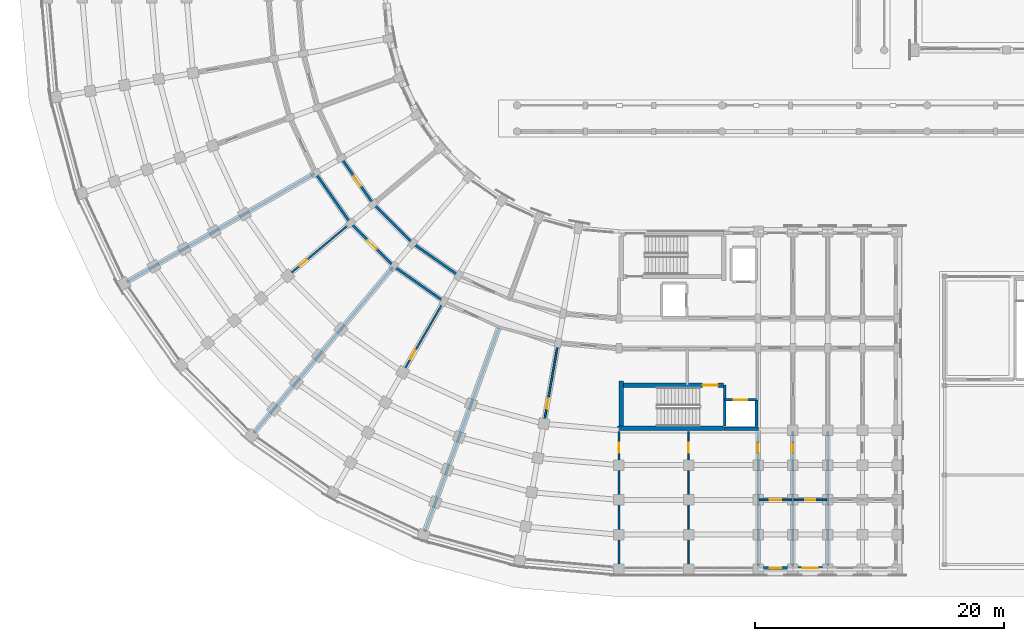
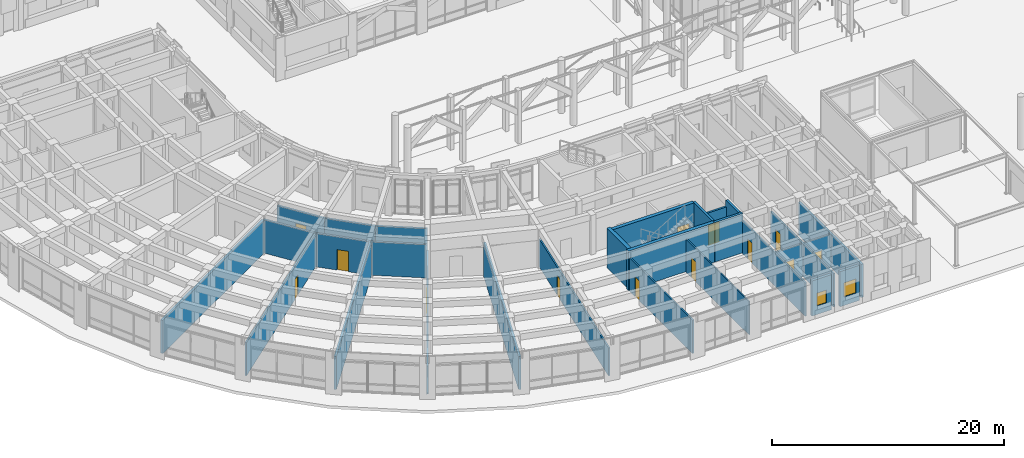
# One storey, part 89 of 135: 28 walls, 13 doors, 2 windows, 15 openings.
"""IFC4 building model written with IfcOpenShell, lengths in metres."""

from ifc_helpers import new_model, si_unit, direction, frame, frame_2d, origin, place, context, subcontext, project, spatial, rectangle, extrude, material, layer, layer_set, type_object, element, fill, save


model = new_model("IFC4")

# Units and contexts
model_context = context("Model", 3, precision=1e-05, world=origin(), true_north=direction((0.0, 1.0)))
body_context = subcontext(model_context, "Body", "Model", "MODEL_VIEW")
ifc_project = project(units=[si_unit("LENGTHUNIT", "METRE"), si_unit("AREAUNIT", "SQUARE_METRE"), si_unit("VOLUMEUNIT", "CUBIC_METRE"), si_unit("PLANEANGLEUNIT", "RADIAN"), si_unit("MASSUNIT", "GRAM", prefix="KILO")], contexts=[model_context])

# Site, building, storey
site_placement = place(None, origin())
site = spatial("IfcSite", under=ifc_project, at=site_placement, CompositionType="ELEMENT")
building_placement = place(site_placement, origin())
building = spatial("IfcBuilding", under=site, at=building_placement, Name="Kiranvali Square Residences", CompositionType="ELEMENT")
storey_placement = place(building_placement, origin())
storey = spatial("IfcBuildingStorey", under=building, at=storey_placement, Name="L00", CompositionType="ELEMENT", Elevation=0.0)

# Walls
ifc_material_1 = material(Name="Autoclaved aerated concrete blockwork masonry", Category="masonry")
ifc_layer_1 = layer(ifc_material_1, 0.199951171875)
ifc_layer_set_1 = layer_set([ifc_layer_1], Name="Autoclaved aerated concrete blockwork masonry")
wall_type_1 = type_object("IfcWallType", Name="WL-COR-200", PredefinedType="STANDARD", material=ifc_layer_set_1)
wall_1_placement = place(storey_placement, frame((35.300048828125, 25.8564453125, 0.0), z_axis=(0.0, 0.0, 1.0), x_axis=(-0.819155404658, 0.573571637217, 0.0)))
element("IfcWall", 1, at=wall_1_placement, inside=storey, type_object=wall_type_1, Name="L00 architectural wall WL-L00-C-CCI-3", PredefinedType="STANDARD", context=body_context, shape_type="SweptSolid", body=[
    extrude(rectangle(XDim=4.497314453125, YDim=0.199951171875, at=frame_2d((2.24853515625, 0.0))), origin(), (0.0, 0.0, 1.0), 3.491943359375),
])
wall_2_placement = place(storey_placement, frame((34.10009765625, 23.778076171875, 0.0), z_axis=(0.0, 0.0, 1.0), x_axis=(-0.819140911474, 0.573592335331, 0.0)))
element("IfcWall", 2, at=wall_2_placement, inside=storey, type_object=wall_type_1, Name="L00 architectural wall WL-L00-C-CCO-3", PredefinedType="STANDARD", context=body_context, shape_type="SweptSolid", body=[
    extrude(rectangle(XDim=4.915771484375, YDim=0.199951171875, at=frame_2d((2.4580078125, 0.0))), origin(), (0.0, 0.0, 1.0), 3.491943359375),
])
wall_3_placement = place(storey_placement, frame((31.615966796875, 28.43603515625, 0.0), z_axis=(0.0, 0.0, 1.0), x_axis=(-0.707106781187, 0.707106781187, 0.0)))
element("IfcWall", 3, at=wall_3_placement, inside=storey, type_object=wall_type_1, Name="L00 architectural wall WL-L00-C-CCI-4", PredefinedType="STANDARD", context=body_context, shape_type="SweptSolid", body=[
    extrude(rectangle(XDim=4.4970703125, YDim=0.199951171875, at=frame_2d((2.24853515625, 0.0))), origin(), (0.0, 0.0, 1.0), 3.491943359375),
])

# Wall, opening, door
wall_4_placement = place(storey_placement, frame((30.073486328125, 26.59765625, 0.0), z_axis=(0.0, 0.0, 1.0), x_axis=(-0.707106781187, 0.707106781187, 0.0)))
wall_4 = element("IfcWall", 4, at=wall_4_placement, inside=storey, type_object=wall_type_1, Name="L00 architectural wall WL-L00-C-CCO-4", PredefinedType="STANDARD", context=body_context, shape_type="SweptSolid", body=[
    extrude(rectangle(XDim=4.91552734375, YDim=0.199951171875, at=frame_2d((2.457763671875, 0.0))), origin(), (0.0, 0.0, 1.0), 3.491943359375),
])
opening_1_placement = place(wall_4_placement, frame((1.957763671875, 0.0, 0.0)))
opening_1 = element("IfcOpeningElement", 5, at=opening_1_placement, cuts=wall_4, Name="Opening FD-APT-60", PredefinedType="OPENING", context=body_context, shape_type="SweptSolid", body=[
    extrude(rectangle(XDim=1.0, YDim=2.14990234375, at=frame_2d((0.5, 1.074951171875))), frame((0.0, 0.10986328125, 0.0), z_axis=(0.0, -1.0, 0.0), x_axis=(1.0, 0.0, 0.0)), (0.0, 0.0, 1.0), 0.219970703125),
])
ifc_material_2 = material(Name="Fire-rated acoustic hardwood and mineral-core door assembly", Category="wood")
door_type_1 = type_object("IfcDoorType", Name="DR-APT-1000", OperationType="NOTDEFINED", PredefinedType="DOOR", material=ifc_material_2)
door_1_placement = place(opening_1_placement, origin())
door_1 = element("IfcDoor", 6, at=door_1_placement, inside=storey, type_object=door_type_1, Name="L00 door DR-L00-1771 (DR-APT-1000)", OperationType="SINGLE_SWING_LEFT", OverallHeight=2.14990234375, OverallWidth=1.0, PredefinedType="DOOR", context=body_context, shape_type="SweptSolid", body=[
    extrude(rectangle(XDim=1.0, YDim=2.14990234375, at=frame_2d((0.5, 1.074951171875))), frame((0.0, 0.02490234375, 0.0), z_axis=(0.0, -1.0, 0.0), x_axis=(1.0, 0.0, 0.0)), (0.0, 0.0, 1.0), 0.050048828125),
])
fill(opening_1, door_1)

wall_5_placement = place(storey_placement, frame((28.43603515625, 31.615966796875, 0.0), z_axis=(0.0, 0.0, 1.0), x_axis=(-0.573571637217, 0.819155404658, 0.0)))
wall_5 = element("IfcWall", 7, at=wall_5_placement, inside=storey, type_object=wall_type_1, Name="L00 architectural wall WL-L00-C-CCI-5", PredefinedType="STANDARD", context=body_context, shape_type="SweptSolid", body=[
    extrude(rectangle(XDim=4.497314453125, YDim=0.199951171875, at=frame_2d((2.24853515625, 0.0))), origin(), (0.0, 0.0, 1.0), 3.491943359375),
])
opening_2_placement = place(wall_5_placement, frame((1.74853515625, 0.0, 0.0)))
opening_2 = element("IfcOpeningElement", 8, at=opening_2_placement, cuts=wall_5, Name="Opening FD-APT-60", PredefinedType="OPENING", context=body_context, shape_type="SweptSolid", body=[
    extrude(rectangle(XDim=1.0, YDim=2.14990234375, at=frame_2d((0.5, 1.074951171875))), frame((0.0, 0.10986328125, 0.0), z_axis=(0.0, -1.0, 0.0), x_axis=(1.0, 0.0, 0.0)), (0.0, 0.0, 1.0), 0.219970703125),
])
door_2_placement = place(opening_2_placement, origin())
door_2 = element("IfcDoor", 9, at=door_2_placement, inside=storey, type_object=door_type_1, Name="L00 door DR-L00-1775 (DR-APT-1000)", OperationType="SINGLE_SWING_LEFT", OverallHeight=2.14990234375, OverallWidth=1.0, PredefinedType="DOOR", context=body_context, shape_type="SweptSolid", body=[
    extrude(rectangle(XDim=1.0, YDim=2.14990234375, at=frame_2d((0.5, 1.074951171875))), frame((0.0, 0.02490234375, 0.0), z_axis=(0.0, -1.0, 0.0), x_axis=(1.0, 0.0, 0.0)), (0.0, 0.0, 1.0), 0.050048828125),
])
fill(opening_2, door_2)

# Walls
wall_6_placement = place(storey_placement, frame((26.59765625, 30.073486328125, 0.0), z_axis=(0.0, 0.0, 1.0), x_axis=(-0.573592335331, 0.819140911474, 0.0)))
element("IfcWall", 10, at=wall_6_placement, inside=storey, type_object=wall_type_1, Name="L00 architectural wall WL-L00-C-CCO-5", PredefinedType="STANDARD", context=body_context, shape_type="SweptSolid", body=[
    extrude(rectangle(XDim=4.915771484375, YDim=0.199951171875, at=frame_2d((2.4580078125, 0.0))), origin(), (0.0, 0.0, 1.0), 3.491943359375),
])
ifc_layer_2 = layer(ifc_material_1, 0.219970703125)
ifc_layer_set_2 = layer_set([ifc_layer_2], Name="Autoclaved aerated concrete blockwork masonry")
wall_type_2 = type_object("IfcWallType", Name="WL-DEM-220", PredefinedType="STANDARD", material=ifc_layer_set_2)
wall_7_placement = place(storey_placement, frame((65.0, 13.300048828125, 0.0), z_axis=(0.0, 0.0, 1.0), x_axis=(0.0, -1.0, 0.0)))
element("IfcWall", 11, at=wall_7_placement, inside=storey, type_object=wall_type_2, Name="L00 architectural wall WL-L00-C-A1TO2-2", PredefinedType="STANDARD", context=body_context, shape_type="SweptSolid", body=[
    extrude(rectangle(XDim=10.820068359375, YDim=0.219970703125, at=frame_2d((5.41015625, 0.0))), origin(), (0.0, 0.0, 1.0), 3.491943359375),
])
ifc_layer_3 = layer(ifc_material_1, 0.22998046875)
ifc_layer_set_3 = layer_set([ifc_layer_3], Name="Autoclaved aerated concrete blockwork masonry")
wall_type_3 = type_object("IfcWallType", Name="WL-DEM-230", PredefinedType="STANDARD", material=ifc_layer_set_3)
for number, where, z_axis, x_axis, name in (
    (12, (38.520751953125, 21.606689453125, 0.0), (0.0, 0.0, 1.0), (-0.342022120477, -0.939691901159, 0.0), "L00 architectural wall WL-L00-C-RADO-2"),
    (13, (30.009033203125, 26.52099609375, 0.0), (0.0, 0.0, 1.0), (-0.642784757967, -0.766046835987, 0.0), "L00 architectural wall WL-L00-C-RADO-4"),
    (14, (23.69140625, 34.050048828125, 0.0), (0.0, 0.0, 1.0), (-0.866026648973, -0.499997843263, 0.0), "L00 architectural wall WL-L00-C-RADO-6"),
):
    element("IfcWall", number, at=place(storey_placement, frame(where, z_axis=z_axis, x_axis=x_axis)), inside=storey, type_object=wall_type_3, Name=name, PredefinedType="STANDARD", context=body_context, shape_type="SweptSolid", body=[
        extrude(rectangle(XDim=17.419921875, YDim=0.22998046875, at=frame_2d((8.7099609375, 0.0))), origin(), (0.0, 0.0, 1.0), 3.491943359375),
    ])

# Wall, opening, window
ifc_material_3 = material(Name="Breathable lime-rendered clay brick masonry", Category="masonry")
ifc_layer_4 = layer(ifc_material_3, 0.25)
ifc_layer_set_4 = layer_set([ifc_layer_4], Name="Breathable lime-rendered clay brick masonry")
wall_type_4 = type_object("IfcWallType", Name="WL-EXT-250", PredefinedType="STANDARD", material=ifc_layer_set_4)
wall_8_placement = place(storey_placement, frame((59.82861328125, 2.324951171875, 0.0), z_axis=(0.0, 0.0, 1.0), x_axis=(1.0, 0.0, 0.0)))
wall_8 = element("IfcWall", 15, at=wall_8_placement, inside=storey, type_object=wall_type_4, Name="L00 exterior wall C-L00-A1O-2", PredefinedType="STANDARD", context=body_context, shape_type="SweptSolid", body=[
    extrude(rectangle(XDim=1.94287109375, YDim=0.25, at=frame_2d((0.971435546875, 0.0))), origin(), (0.0, 0.0, 1.0), 3.69189453125),
])
opening_3_placement = place(wall_8_placement, frame((0.49658203125, 0.0, 0.8798828125)))
opening_3 = element("IfcOpeningElement", 16, at=opening_3_placement, cuts=wall_8, Name="Opening W-16", PredefinedType="OPENING", context=body_context, shape_type="SweptSolid", body=[
    extrude(rectangle(XDim=0.949951171875, YDim=1.35009765625, at=frame_2d((0.47509765625, 0.675048828125))), frame((0.0, 0.135009765625, 0.0), z_axis=(0.0, -1.0, 0.0), x_axis=(1.0, 0.0, 0.0)), (0.0, 0.0, 1.0), 0.27001953125),
])
ifc_material_4 = material(Name="Solar-control low-e double glazing", Category="glass")
window_type_1 = type_object("IfcWindowType", Name="WIN-RES-950x1350", PartitioningType="SINGLE_PANEL", PredefinedType="WINDOW", material=ifc_material_4)
window_1_placement = place(opening_3_placement, origin())
window_1 = element("IfcWindow", 17, at=window_1_placement, inside=storey, type_object=window_type_1, Name="L00 recessed window C-L00-A1O-2", OverallHeight=1.35009765625, OverallWidth=0.949951171875, PartitioningType="SINGLE_PANEL", PredefinedType="WINDOW", context=body_context, shape_type="SweptSolid", body=[
    extrude(rectangle(XDim=0.949951171875, YDim=1.35009765625, at=frame_2d((0.47509765625, 0.675048828125))), frame((0.0, 0.030029296875, 0.0), z_axis=(0.0, -1.0, 0.0), x_axis=(1.0, 0.0, 0.0)), (0.0, 0.0, 1.0), 0.06005859375),
])
fill(opening_3, window_1)

wall_9_placement = place(storey_placement, frame((62.62841796875, 2.324951171875, 0.0), z_axis=(0.0, 0.0, 1.0), x_axis=(1.0, 0.0, 0.0)))
wall_9 = element("IfcWall", 18, at=wall_9_placement, inside=storey, type_object=wall_type_4, Name="L00 exterior wall C-L00-A1O-3", PredefinedType="STANDARD", context=body_context, shape_type="SweptSolid", body=[
    extrude(rectangle(XDim=1.943115234375, YDim=0.25, at=frame_2d((0.9716796875, 0.0))), origin(), (0.0, 0.0, 1.0), 3.69189453125),
])
opening_4_placement = place(wall_9_placement, frame((0.37158203125, 0.0, 0.8798828125)))
opening_4 = element("IfcOpeningElement", 19, at=opening_4_placement, cuts=wall_9, Name="Opening W-06", PredefinedType="OPENING", context=body_context, shape_type="SweptSolid", body=[
    extrude(rectangle(XDim=1.199951171875, YDim=1.5, at=frame_2d((0.60009765625, 0.75))), frame((0.0, 0.135009765625, 0.0), z_axis=(0.0, -1.0, 0.0), x_axis=(1.0, 0.0, 0.0)), (0.0, 0.0, 1.0), 0.27001953125),
])
window_type_2 = type_object("IfcWindowType", Name="WIN-RES-1200x1500", PartitioningType="SINGLE_PANEL", PredefinedType="WINDOW", material=ifc_material_4)
window_2_placement = place(opening_4_placement, origin())
window_2 = element("IfcWindow", 20, at=window_2_placement, inside=storey, type_object=window_type_2, Name="L00 recessed window C-L00-A1O-3", OverallHeight=1.5, OverallWidth=1.199951171875, PartitioningType="SINGLE_PANEL", PredefinedType="WINDOW", context=body_context, shape_type="SweptSolid", body=[
    extrude(rectangle(XDim=1.199951171875, YDim=1.5, at=frame_2d((0.60009765625, 0.75))), frame((0.0, 0.030029296875, 0.0), z_axis=(0.0, -1.0, 0.0), x_axis=(1.0, 0.0, 0.0)), (0.0, 0.0, 1.0), 0.06005859375),
])
fill(opening_4, window_2)

# Wall, opening, door
ifc_layer_5 = layer(ifc_material_1, 0.199951171875)
ifc_layer_set_5 = layer_set([ifc_layer_5], Name="Autoclaved aerated concrete blockwork masonry")
wall_type_5 = type_object("IfcWallType", Name="WL-FFL-200", PredefinedType="STANDARD", material=ifc_layer_set_5)
wall_10_placement = place(storey_placement, frame((56.699951171875, 15.85009765625, 0.0), z_axis=(0.0, 0.0, 1.0), x_axis=(1.0, 0.0, 0.0)))
wall_10 = element("IfcWall", 21, at=wall_10_placement, inside=storey, type_object=wall_type_5, Name="L00 architectural wall WL-L00-C-FF-LFT", PredefinedType="STANDARD", context=body_context, shape_type="SweptSolid", body=[
    extrude(rectangle(XDim=2.550048828125, YDim=0.199951171875, at=frame_2d((1.27490234375, 0.0))), origin(), (0.0, 0.0, 1.0), 3.491943359375),
])
opening_5_placement = place(wall_10_placement, frame((0.72509765625, 0.0, 0.0)))
opening_5 = element("IfcOpeningElement", 22, at=opening_5_placement, cuts=wall_10, Name="Opening LD-FF-110", PredefinedType="OPENING", context=body_context, shape_type="SweptSolid", body=[
    extrude(rectangle(XDim=1.10009765625, YDim=2.14990234375, at=frame_2d((0.550048828125, 1.074951171875))), frame((0.0, 0.10986328125, 0.0), z_axis=(0.0, -1.0, 0.0), x_axis=(1.0, 0.0, 0.0)), (0.0, 0.0, 1.0), 0.219970703125),
])
door_type_2 = type_object("IfcDoorType", Name="DR-LIFT-FF-1100", OperationType="SLIDING_TO_LEFT", PredefinedType="DOOR", material=ifc_material_2)
door_3_placement = place(opening_5_placement, origin())
door_3 = element("IfcDoor", 23, at=door_3_placement, inside=storey, type_object=door_type_2, Name="L00 door DR-L00-1736 (DR-LIFT-FF-1100)", OperationType="SLIDING_TO_LEFT", OverallHeight=2.14990234375, OverallWidth=1.10009765625, PredefinedType="DOOR", context=body_context, shape_type="SweptSolid", body=[
    extrude(rectangle(XDim=1.10009765625, YDim=2.14990234375, at=frame_2d((0.550048828125, 1.074951171875))), frame((0.0, 0.02490234375, 0.0), z_axis=(0.0, -1.0, 0.0), x_axis=(1.0, 0.0, 0.0)), (0.0, 0.0, 1.0), 0.050048828125),
])
fill(opening_5, door_3)

ifc_material_5 = material(Name="Acoustic gypsum board drylined partition", Category="gypsum")
ifc_layer_6 = layer(ifc_material_5, 0.125)
ifc_layer_set_6 = layer_set([ifc_layer_6], Name="Acoustic gypsum board drylined partition")
wall_type_6 = type_object("IfcWallType", Name="WL-PRT-125", PredefinedType="PARTITIONING", material=ifc_layer_set_6)
wall_11_placement = place(storey_placement, frame((53.800048828125, 13.300048828125, 0.0), z_axis=(0.0, 0.0, 1.0), x_axis=(0.0, -1.0, 0.0)))
wall_11 = element("IfcWall", 24, at=wall_11_placement, inside=storey, type_object=wall_type_6, Name="L00 architectural wall WL-L00-C-CF-MID", PredefinedType="PARTITIONING", context=body_context, shape_type="SweptSolid", body=[
    extrude(rectangle(XDim=10.820068359375, YDim=0.125, at=frame_2d((5.41015625, 0.0))), origin(), (0.0, 0.0, 1.0), 3.491943359375),
])
opening_6_placement = place(wall_11_placement, frame((0.8994140625, 0.0, 0.0)))
opening_6 = element("IfcOpeningElement", 25, at=opening_6_placement, cuts=wall_11, Name="Opening ID-WET", PredefinedType="OPENING", context=body_context, shape_type="SweptSolid", body=[
    extrude(rectangle(XDim=0.800048828125, YDim=2.10009765625, at=frame_2d((0.39990234375, 1.050048828125))), frame((0.0, 0.072509765625, 0.0), z_axis=(0.0, -1.0, 0.0), x_axis=(1.0, 0.0, 0.0)), (0.0, 0.0, 1.0), 0.14501953125),
])
ifc_material_6 = material(Name="Solid seasoned teak hardwood joinery", Category="wood")
door_type_3 = type_object("IfcDoorType", Name="DR-WET-800", OperationType="NOTDEFINED", PredefinedType="DOOR", material=ifc_material_6)
door_4_placement = place(opening_6_placement, origin())
door_4 = element("IfcDoor", 26, at=door_4_placement, inside=storey, type_object=door_type_3, Name="L00 door DR-L00-1747 (DR-WET-800)", OperationType="SINGLE_SWING_LEFT", OverallHeight=2.10009765625, OverallWidth=0.800048828125, PredefinedType="DOOR", context=body_context, shape_type="SweptSolid", body=[
    extrude(rectangle(XDim=0.800048828125, YDim=2.10009765625, at=frame_2d((0.39990234375, 1.050048828125))), frame((0.0, 0.02490234375, 0.0), z_axis=(0.0, -1.0, 0.0), x_axis=(1.0, 0.0, 0.0)), (0.0, 0.0, 1.0), 0.050048828125),
])
fill(opening_6, door_4)

ifc_layer_7 = layer(ifc_material_5, 0.14990234375)
ifc_layer_set_7 = layer_set([ifc_layer_7], Name="Acoustic gypsum board drylined partition")
wall_type_7 = type_object("IfcWallType", Name="WL-PRT-150", PredefinedType="PARTITIONING", material=ifc_layer_set_7)
wall_12_placement = place(storey_placement, frame((59.39990234375, 13.300048828125, 0.0), z_axis=(0.0, 0.0, 1.0), x_axis=(0.0, -1.0, 0.0)))
wall_12 = element("IfcWall", 27, at=wall_12_placement, inside=storey, type_object=wall_type_7, Name="L00 architectural wall WL-L00-C-A1TO2-0", PredefinedType="PARTITIONING", context=body_context, shape_type="SweptSolid", body=[
    extrude(rectangle(XDim=10.820068359375, YDim=0.14990234375, at=frame_2d((5.41015625, 0.0))), origin(), (0.0, 0.0, 1.0), 3.491943359375),
])
opening_7_placement = place(wall_12_placement, frame((0.8994140625, 0.0, 0.0)))
opening_7 = element("IfcOpeningElement", 28, at=opening_7_placement, cuts=wall_12, Name="Opening ID-WET", PredefinedType="OPENING", context=body_context, shape_type="SweptSolid", body=[
    extrude(rectangle(XDim=0.800048828125, YDim=2.10009765625, at=frame_2d((0.39990234375, 1.050048828125))), frame((0.0, 0.0849609375, 0.0), z_axis=(0.0, -1.0, 0.0), x_axis=(1.0, 0.0, 0.0)), (0.0, 0.0, 1.0), 0.169921875),
])
door_5_placement = place(opening_7_placement, frame((0.800048828125, 0.0, 0.0), z_axis=(0.0, 0.0, 1.0), x_axis=(-1.0, 0.0, 0.0)))
door_5 = element("IfcDoor", 29, at=door_5_placement, inside=storey, type_object=door_type_3, Name="L00 door DR-L00-1756 (DR-WET-800)", OperationType="SINGLE_SWING_RIGHT", OverallHeight=2.10009765625, OverallWidth=0.800048828125, PredefinedType="DOOR", context=body_context, shape_type="SweptSolid", body=[
    extrude(rectangle(XDim=0.800048828125, YDim=2.10009765625, at=frame_2d((0.39990234375, 1.050048828125))), frame((0.0, 0.02490234375, 0.0), z_axis=(0.0, -1.0, 0.0), x_axis=(1.0, 0.0, 0.0)), (0.0, 0.0, 1.0), 0.050048828125),
])
fill(opening_7, door_5)

wall_13_placement = place(storey_placement, frame((62.199951171875, 13.300048828125, 0.0), z_axis=(0.0, 0.0, 1.0), x_axis=(0.0, -1.0, 0.0)))
wall_13 = element("IfcWall", 30, at=wall_13_placement, inside=storey, type_object=wall_type_7, Name="L00 architectural wall WL-L00-C-A1TO2-1", PredefinedType="PARTITIONING", context=body_context, shape_type="SweptSolid", body=[
    extrude(rectangle(XDim=10.820068359375, YDim=0.14990234375, at=frame_2d((5.41015625, 0.0))), origin(), (0.0, 0.0, 1.0), 3.491943359375),
])
opening_8_placement = place(wall_13_placement, frame((0.8994140625, 0.0, 0.0)))
opening_8 = element("IfcOpeningElement", 31, at=opening_8_placement, cuts=wall_13, Name="Opening ID-WET", PredefinedType="OPENING", context=body_context, shape_type="SweptSolid", body=[
    extrude(rectangle(XDim=0.800048828125, YDim=2.10009765625, at=frame_2d((0.39990234375, 1.050048828125))), frame((0.0, 0.0849609375, 0.0), z_axis=(0.0, -1.0, 0.0), x_axis=(1.0, 0.0, 0.0)), (0.0, 0.0, 1.0), 0.169921875),
])
door_6_placement = place(opening_8_placement, origin())
door_6 = element("IfcDoor", 32, at=door_6_placement, inside=storey, type_object=door_type_3, Name="L00 door DR-L00-1759 (DR-WET-800)", OperationType="SINGLE_SWING_LEFT", OverallHeight=2.10009765625, OverallWidth=0.800048828125, PredefinedType="DOOR", context=body_context, shape_type="SweptSolid", body=[
    extrude(rectangle(XDim=0.800048828125, YDim=2.10009765625, at=frame_2d((0.39990234375, 1.050048828125))), frame((0.0, 0.02490234375, 0.0), z_axis=(0.0, -1.0, 0.0), x_axis=(1.0, 0.0, 0.0)), (0.0, 0.0, 1.0), 0.050048828125),
])
fill(opening_8, door_6)

wall_14_placement = place(storey_placement, frame((48.199951171875, 13.300048828125, 0.0), z_axis=(0.0, 0.0, 1.0), x_axis=(0.0, -1.0, 0.0)))
wall_14 = element("IfcWall", 33, at=wall_14_placement, inside=storey, type_object=wall_type_7, Name="L00 architectural wall WL-L00-C-RADO-0", PredefinedType="PARTITIONING", context=body_context, shape_type="SweptSolid", body=[
    extrude(rectangle(XDim=10.820068359375, YDim=0.14990234375, at=frame_2d((5.41015625, 0.0))), origin(), (0.0, 0.0, 1.0), 3.491943359375),
])
opening_9_placement = place(wall_14_placement, frame((0.8994140625, 0.0, 0.0)))
opening_9 = element("IfcOpeningElement", 34, at=opening_9_placement, cuts=wall_14, Name="Opening ID-WET", PredefinedType="OPENING", context=body_context, shape_type="SweptSolid", body=[
    extrude(rectangle(XDim=0.800048828125, YDim=2.10009765625, at=frame_2d((0.39990234375, 1.050048828125))), frame((0.0, 0.0849609375, 0.0), z_axis=(0.0, -1.0, 0.0), x_axis=(1.0, 0.0, 0.0)), (0.0, 0.0, 1.0), 0.169921875),
])
door_7_placement = place(opening_9_placement, origin())
door_7 = element("IfcDoor", 35, at=door_7_placement, inside=storey, type_object=door_type_3, Name="L00 door DR-L00-1763 (DR-WET-800)", OperationType="SINGLE_SWING_LEFT", OverallHeight=2.10009765625, OverallWidth=0.800048828125, PredefinedType="DOOR", context=body_context, shape_type="SweptSolid", body=[
    extrude(rectangle(XDim=0.800048828125, YDim=2.10009765625, at=frame_2d((0.39990234375, 1.050048828125))), frame((0.0, 0.02490234375, 0.0), z_axis=(0.0, -1.0, 0.0), x_axis=(1.0, 0.0, 0.0)), (0.0, 0.0, 1.0), 0.050048828125),
])
fill(opening_9, door_7)

wall_15_placement = place(storey_placement, frame((43.28564453125, 20.329833984375, 0.0), z_axis=(0.0, 0.0, 1.0), x_axis=(-0.173646216546, -0.984808098809, 0.0)))
wall_15 = element("IfcWall", 36, at=wall_15_placement, inside=storey, type_object=wall_type_7, Name="L00 architectural wall WL-L00-C-RADO-1", PredefinedType="PARTITIONING", context=body_context, shape_type="SweptSolid", body=[
    extrude(rectangle(XDim=17.419921875, YDim=0.14990234375, at=frame_2d((8.7099609375, 0.0))), origin(), (0.0, 0.0, 1.0), 2.94189453125),
])
opening_10_placement = place(wall_15_placement, frame((4.44970703125, 0.0, 0.0)))
opening_10 = element("IfcOpeningElement", 37, at=opening_10_placement, cuts=wall_15, Name="Opening ID-WET", PredefinedType="OPENING", context=body_context, shape_type="SweptSolid", body=[
    extrude(rectangle(XDim=0.800048828125, YDim=2.10009765625, at=frame_2d((0.39990234375, 1.050048828125))), frame((0.0, 0.0849609375, 0.0), z_axis=(0.0, -1.0, 0.0), x_axis=(1.0, 0.0, 0.0)), (0.0, 0.0, 1.0), 0.169921875),
])
door_8_placement = place(opening_10_placement, frame((0.800048828125, 0.0, 0.0), z_axis=(0.0, 0.0, 1.0), x_axis=(-1.0, 0.0, 0.0)))
door_8 = element("IfcDoor", 38, at=door_8_placement, inside=storey, type_object=door_type_3, Name="L00 door DR-L00-1764 (DR-WET-800)", OperationType="SINGLE_SWING_RIGHT", OverallHeight=2.10009765625, OverallWidth=0.800048828125, PredefinedType="DOOR", context=body_context, shape_type="SweptSolid", body=[
    extrude(rectangle(XDim=0.800048828125, YDim=2.10009765625, at=frame_2d((0.39990234375, 1.050048828125))), frame((0.0, 0.02490234375, 0.0), z_axis=(0.0, -1.0, 0.0), x_axis=(1.0, 0.0, 0.0)), (0.0, 0.0, 1.0), 0.050048828125),
])
fill(opening_10, door_8)

wall_16_placement = place(storey_placement, frame((34.050048828125, 23.69140625, 0.0), z_axis=(0.0, 0.0, 1.0), x_axis=(-0.499997843263, -0.866026648973, 0.0)))
wall_16 = element("IfcWall", 39, at=wall_16_placement, inside=storey, type_object=wall_type_7, Name="L00 architectural wall WL-L00-C-RADO-3", PredefinedType="PARTITIONING", context=body_context, shape_type="SweptSolid", body=[
    extrude(rectangle(XDim=17.419921875, YDim=0.14990234375, at=frame_2d((8.7099609375, 0.0))), origin(), (0.0, 0.0, 1.0), 2.94189453125),
])
opening_11_placement = place(wall_16_placement, frame((4.44970703125, 0.0, 0.0)))
opening_11 = element("IfcOpeningElement", 40, at=opening_11_placement, cuts=wall_16, Name="Opening ID-WET", PredefinedType="OPENING", context=body_context, shape_type="SweptSolid", body=[
    extrude(rectangle(XDim=0.800048828125, YDim=2.10009765625, at=frame_2d((0.39990234375, 1.050048828125))), frame((0.0, 0.0849609375, 0.0), z_axis=(0.0, -1.0, 0.0), x_axis=(1.0, 0.0, 0.0)), (0.0, 0.0, 1.0), 0.169921875),
])
door_9_placement = place(opening_11_placement, origin())
door_9 = element("IfcDoor", 41, at=door_9_placement, inside=storey, type_object=door_type_3, Name="L00 door DR-L00-1765 (DR-WET-800)", OperationType="SINGLE_SWING_LEFT", OverallHeight=2.10009765625, OverallWidth=0.800048828125, PredefinedType="DOOR", context=body_context, shape_type="SweptSolid", body=[
    extrude(rectangle(XDim=0.800048828125, YDim=2.10009765625, at=frame_2d((0.39990234375, 1.050048828125))), frame((0.0, 0.02490234375, 0.0), z_axis=(0.0, -1.0, 0.0), x_axis=(1.0, 0.0, 0.0)), (0.0, 0.0, 1.0), 0.050048828125),
])
fill(opening_11, door_9)

wall_17_placement = place(storey_placement, frame((26.52099609375, 30.009033203125, 0.0), z_axis=(0.0, 0.0, 1.0), x_axis=(-0.766046835987, -0.642784757967, 0.0)))
wall_17 = element("IfcWall", 42, at=wall_17_placement, inside=storey, type_object=wall_type_7, Name="L00 architectural wall WL-L00-C-RADO-5", PredefinedType="PARTITIONING", context=body_context, shape_type="SweptSolid", body=[
    extrude(rectangle(XDim=17.419921875, YDim=0.14990234375, at=frame_2d((8.7099609375, 0.0))), origin(), (0.0, 0.0, 1.0), 3.491943359375),
])
opening_12_placement = place(wall_17_placement, frame((4.44970703125, 0.0, 0.0)))
opening_12 = element("IfcOpeningElement", 43, at=opening_12_placement, cuts=wall_17, Name="Opening ID-WET", PredefinedType="OPENING", context=body_context, shape_type="SweptSolid", body=[
    extrude(rectangle(XDim=0.800048828125, YDim=2.10009765625, at=frame_2d((0.39990234375, 1.050048828125))), frame((0.0, 0.0849609375, 0.0), z_axis=(0.0, -1.0, 0.0), x_axis=(1.0, 0.0, 0.0)), (0.0, 0.0, 1.0), 0.169921875),
])
door_10_placement = place(opening_12_placement, frame((0.800048828125, 0.0, 0.0), z_axis=(0.0, 0.0, 1.0), x_axis=(-1.0, 0.0, 0.0)))
door_10 = element("IfcDoor", 44, at=door_10_placement, inside=storey, type_object=door_type_3, Name="L00 door DR-L00-1766 (DR-WET-800)", OperationType="SINGLE_SWING_RIGHT", OverallHeight=2.10009765625, OverallWidth=0.800048828125, PredefinedType="DOOR", context=body_context, shape_type="SweptSolid", body=[
    extrude(rectangle(XDim=0.800048828125, YDim=2.10009765625, at=frame_2d((0.39990234375, 1.050048828125))), frame((0.0, 0.02490234375, 0.0), z_axis=(0.0, -1.0, 0.0), x_axis=(1.0, 0.0, 0.0)), (0.0, 0.0, 1.0), 0.050048828125),
])
fill(opening_12, door_10)

# Walls
ifc_layer_8 = layer(ifc_material_1, 0.199951171875)
ifc_layer_set_8 = layer_set([ifc_layer_8], Name="Autoclaved aerated concrete blockwork masonry")
wall_type_8 = type_object("IfcWallType", Name="WL-SHF-200", PredefinedType="STANDARD", material=ifc_layer_set_8)
wall_18_placement = place(storey_placement, frame((56.699951171875, 17.050048828125, 0.0), z_axis=(0.0, 0.0, 1.0), x_axis=(0.0, -1.0, 0.0)))
element("IfcWall", 45, at=wall_18_placement, inside=storey, type_object=wall_type_8, Name="L00 architectural wall WL-L00-C-FF-SHF", PredefinedType="STANDARD", context=body_context, shape_type="SweptSolid", body=[
    extrude(rectangle(XDim=3.300048828125, YDim=0.199951171875, at=frame_2d((1.64990234375, 0.0))), origin(), (0.0, 0.0, 1.0), 4.14990234375),
])
ifc_material_7 = material(Name="Concrete M45 (45 MPa)", Category="concrete")
ifc_layer_9 = layer(ifc_material_7, 0.25)
ifc_layer_set_9 = layer_set([ifc_layer_9], Name="Concrete M45 (45 MPa)")
wall_type_9 = type_object("IfcWallType", Name="WL-SHR-250", PredefinedType="SHEAR", material=ifc_layer_set_9)
wall_19_placement = place(storey_placement, frame((56.64990234375, 13.52490234375, 0.0), z_axis=(0.0, 0.0, 1.0), x_axis=(1.0, 0.0, 0.0)))
element("IfcWall", 46, at=wall_19_placement, inside=storey, type_object=wall_type_9, Name="Block C core shear wall SW-CFF-BK-L00", PredefinedType="SHEAR", context=body_context, shape_type="SweptSolid", body=[
    extrude(rectangle(XDim=2.800048828125, YDim=0.25, at=frame_2d((1.39990234375, 0.0))), origin(), (0.0, 0.0, 1.0), 4.14990234375),
])
wall_20_placement = place(storey_placement, frame((59.27490234375, 15.85009765625, 0.0), z_axis=(0.0, 0.0, 1.0), x_axis=(0.0, -1.0, 0.0)))
element("IfcWall", 47, at=wall_20_placement, inside=storey, type_object=wall_type_9, Name="Block C core shear wall SW-CFF-SD-L00", PredefinedType="SHEAR", context=body_context, shape_type="SweptSolid", body=[
    extrude(rectangle(XDim=2.150146484375, YDim=0.25, at=frame_2d((1.0751953125, 0.0))), origin(), (0.0, 0.0, 1.0), 4.14990234375),
])
ifc_material_8 = material(Name="Concrete M50 (50 MPa)", Category="concrete")
ifc_layer_10 = layer(ifc_material_8, 0.35009765625)
ifc_layer_set_10 = layer_set([ifc_layer_10], Name="Concrete M50 (50 MPa)")
wall_type_10 = type_object("IfcWallType", Name="WL-SHR-350", PredefinedType="SHEAR", material=ifc_layer_set_10)
wall_21_placement = place(storey_placement, frame((48.080078125, 13.574951171875, 0.0), z_axis=(0.0, 0.0, 1.0), x_axis=(1.0, 0.0, 0.0)))
element("IfcWall", 48, at=wall_21_placement, inside=storey, type_object=wall_type_10, Name="Block C core shear wall SW-C1-OUT-L00", PredefinedType="SHEAR", context=body_context, shape_type="SweptSolid", body=[
    extrude(rectangle(XDim=8.544921875, YDim=0.35009765625, at=frame_2d((4.2724609375, 0.0))), origin(), (0.0, 0.0, 1.0), 4.14990234375),
])

# Wall, opening, door
wall_22_placement = place(storey_placement, frame((48.550048828125, 17.02490234375, 0.0), z_axis=(0.0, 0.0, 1.0), x_axis=(1.0, 0.0, 0.0)))
wall_22 = element("IfcWall", 49, at=wall_22_placement, inside=storey, type_object=wall_type_10, Name="Block C core shear wall SW-C1-IN-L00", PredefinedType="SHEAR", context=body_context, shape_type="SweptSolid", body=[
    extrude(rectangle(XDim=8.074951171875, YDim=0.35009765625, at=frame_2d((4.03759765625, 0.0))), origin(), (0.0, 0.0, 1.0), 4.14990234375),
])
opening_13_placement = place(wall_22_placement, frame((6.3798828125, 0.0, 0.0)))
opening_13 = element("IfcOpeningElement", 50, at=opening_13_placement, cuts=wall_22, Name="Opening FD-ST-120", PredefinedType="OPENING", context=body_context, shape_type="SweptSolid", body=[
    extrude(rectangle(XDim=1.239990234375, YDim=2.14990234375, at=frame_2d((0.6201171875, 1.074951171875))), frame((0.0, 0.18505859375, 0.0), z_axis=(0.0, -1.0, 0.0), x_axis=(1.0, 0.0, 0.0)), (0.0, 0.0, 1.0), 0.3701171875),
])
door_type_4 = type_object("IfcDoorType", Name="DR-FD120-1200", OperationType="NOTDEFINED", PredefinedType="DOOR", material=ifc_material_2)
door_11_placement = place(opening_13_placement, origin())
door_11 = element("IfcDoor", 51, at=door_11_placement, inside=storey, type_object=door_type_4, Name="L00 door DR-L00-1737 (DR-FD120-1200)", OperationType="SINGLE_SWING_LEFT", OverallHeight=2.14990234375, OverallWidth=1.239990234375, PredefinedType="DOOR", context=body_context, shape_type="SweptSolid", body=[
    extrude(rectangle(XDim=1.239990234375, YDim=2.14990234375, at=frame_2d((0.6201171875, 1.074951171875))), frame((0.0, 0.02490234375, 0.0), z_axis=(0.0, -1.0, 0.0), x_axis=(1.0, 0.0, 0.0)), (0.0, 0.0, 1.0), 0.050048828125),
])
fill(opening_13, door_11)

# Wall
wall_23_placement = place(storey_placement, frame((48.375, 17.35009765625, 0.0), z_axis=(0.0, 0.0, 1.0), x_axis=(0.0, -1.0, 0.0)))
element("IfcWall", 52, at=wall_23_placement, inside=storey, type_object=wall_type_10, Name="Block C core shear wall SW-C1-FAR-L00", PredefinedType="SHEAR", context=body_context, shape_type="SweptSolid", body=[
    extrude(rectangle(XDim=3.60009765625, YDim=0.35009765625, at=frame_2d((1.800048828125, 0.0))), origin(), (0.0, 0.0, 1.0), 4.14990234375),
])

# Wall, opening, door
ifc_layer_11 = layer(ifc_material_1, 0.159912109375)
ifc_layer_set_11 = layer_set([ifc_layer_11], Name="Autoclaved aerated concrete blockwork masonry")
wall_type_11 = type_object("IfcWallType", Name="WL-WET-160", PredefinedType="PLUMBINGWALL", material=ifc_layer_set_11)
wall_24_placement = place(storey_placement, frame((59.47998046875, 7.800048828125, 0.0), z_axis=(0.0, 0.0, 1.0), x_axis=(1.0, 0.0, 0.0)))
wall_24 = element("IfcWall", 53, at=wall_24_placement, inside=storey, type_object=wall_type_11, Name="L00 architectural wall WL-L00-C-A1SP-0", PredefinedType="PLUMBINGWALL", context=body_context, shape_type="SweptSolid", body=[
    extrude(rectangle(XDim=2.64013671875, YDim=0.159912109375, at=frame_2d((1.320068359375, 0.0))), origin(), (0.0, 0.0, 1.0), 3.491943359375),
])
opening_14_placement = place(wall_24_placement, frame((0.8701171875, 0.0, 0.0)))
opening_14 = element("IfcOpeningElement", 54, at=opening_14_placement, cuts=wall_24, Name="Opening ID-1", PredefinedType="OPENING", context=body_context, shape_type="SweptSolid", body=[
    extrude(rectangle(XDim=0.89990234375, YDim=2.10009765625, at=frame_2d((0.449951171875, 1.050048828125))), frame((0.0, 0.08984375, 0.0), z_axis=(0.0, -1.0, 0.0), x_axis=(1.0, 0.0, 0.0)), (0.0, 0.0, 1.0), 0.179931640625),
])
door_type_5 = type_object("IfcDoorType", Name="DR-INT-900", OperationType="NOTDEFINED", PredefinedType="DOOR", material=ifc_material_6)
door_12_placement = place(opening_14_placement, origin())
door_12 = element("IfcDoor", 55, at=door_12_placement, inside=storey, type_object=door_type_5, Name="L00 door DR-L00-1749 (DR-INT-900)", OperationType="SINGLE_SWING_LEFT", OverallHeight=2.10009765625, OverallWidth=0.89990234375, PredefinedType="DOOR", context=body_context, shape_type="SweptSolid", body=[
    extrude(rectangle(XDim=0.89990234375, YDim=2.10009765625, at=frame_2d((0.449951171875, 1.050048828125))), frame((0.0, 0.02490234375, 0.0), z_axis=(0.0, -1.0, 0.0), x_axis=(1.0, 0.0, 0.0)), (0.0, 0.0, 1.0), 0.050048828125),
])
fill(opening_14, door_12)

wall_25_placement = place(storey_placement, frame((62.280029296875, 7.800048828125, 0.0), z_axis=(0.0, 0.0, 1.0), x_axis=(1.0, 0.0, 0.0)))
wall_25 = element("IfcWall", 56, at=wall_25_placement, inside=storey, type_object=wall_type_11, Name="L00 architectural wall WL-L00-C-A1SP-1", PredefinedType="PLUMBINGWALL", context=body_context, shape_type="SweptSolid", body=[
    extrude(rectangle(XDim=2.639892578125, YDim=0.159912109375, at=frame_2d((1.31982421875, 0.0))), origin(), (0.0, 0.0, 1.0), 3.491943359375),
])
opening_15_placement = place(wall_25_placement, frame((0.919921875, 0.0, 0.0)))
opening_15 = element("IfcOpeningElement", 57, at=opening_15_placement, cuts=wall_25, Name="Opening ID-WET", PredefinedType="OPENING", context=body_context, shape_type="SweptSolid", body=[
    extrude(rectangle(XDim=0.800048828125, YDim=2.10009765625, at=frame_2d((0.39990234375, 1.050048828125))), frame((0.0, 0.08984375, 0.0), z_axis=(0.0, -1.0, 0.0), x_axis=(1.0, 0.0, 0.0)), (0.0, 0.0, 1.0), 0.179931640625),
])
door_13_placement = place(opening_15_placement, origin())
door_13 = element("IfcDoor", 58, at=door_13_placement, inside=storey, type_object=door_type_3, Name="L00 door DR-L00-1751 (DR-WET-800)", OperationType="SINGLE_SWING_LEFT", OverallHeight=2.10009765625, OverallWidth=0.800048828125, PredefinedType="DOOR", context=body_context, shape_type="SweptSolid", body=[
    extrude(rectangle(XDim=0.800048828125, YDim=2.10009765625, at=frame_2d((0.39990234375, 1.050048828125))), frame((0.0, 0.02490234375, 0.0), z_axis=(0.0, -1.0, 0.0), x_axis=(1.0, 0.0, 0.0)), (0.0, 0.0, 1.0), 0.050048828125),
])
fill(opening_15, door_13)

save(model, "model.ifc")
